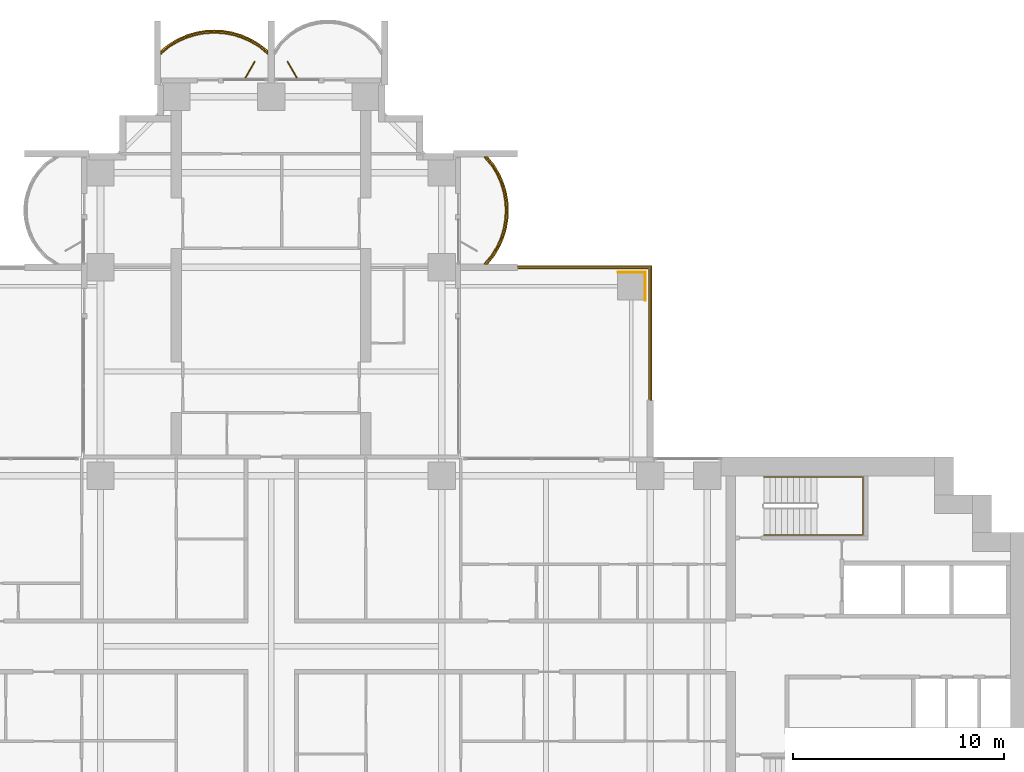
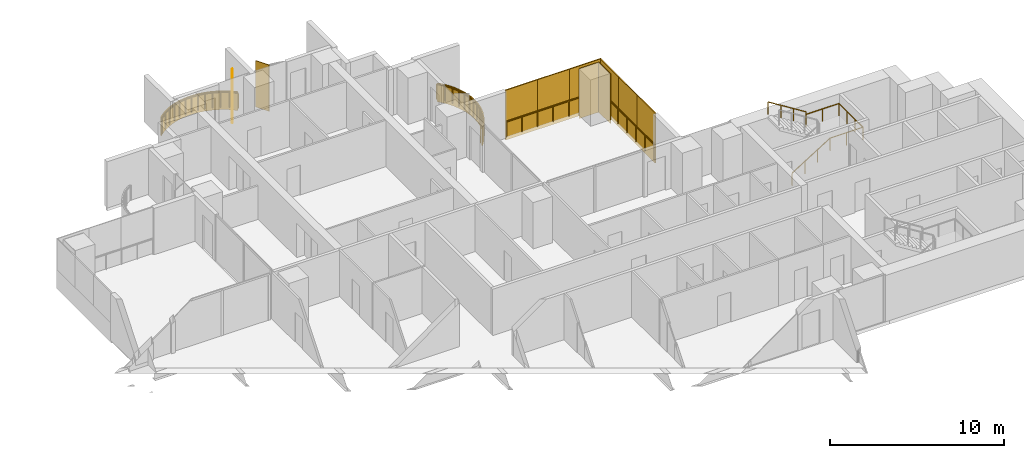
# One storey, part 20 of 21: 11 coverings, 4 railings, 2 shading devices.
"""IFC4 building model written with IfcOpenShell, lengths in metres."""

from ifc_helpers import new_model, si_unit, direction, frame, origin, origin_2d, place, context, subcontext, project, spatial, polyline, rectangle, outline, extrude, material, layer, layer_set, type_object, element, save


model = new_model("IFC4")

# Units and contexts
model_context = context("Model", 3, precision=1e-05, world=origin(), true_north=direction((0.0, 1.0)))
body_context = subcontext(model_context, "Body", "Model", "MODEL_VIEW")
ifc_project = project(units=[si_unit("LENGTHUNIT", "METRE"), si_unit("AREAUNIT", "SQUARE_METRE"), si_unit("VOLUMEUNIT", "CUBIC_METRE"), si_unit("PLANEANGLEUNIT", "RADIAN"), si_unit("MASSUNIT", "GRAM", prefix="KILO")], contexts=[model_context])

# Site, building, storey
site_placement = place(None, origin())
site = spatial("IfcSite", under=ifc_project, at=site_placement, CompositionType="ELEMENT")
building_placement = place(site_placement, origin())
building = spatial("IfcBuilding", under=site, at=building_placement, Name="Perihelion Cross Residences", CompositionType="ELEMENT")
storey_placement = place(building_placement, frame((0.0, 0.0, 54.0)))
storey = spatial("IfcBuildingStorey", under=building, at=storey_placement, Name="L10", CompositionType="ELEMENT", Elevation=54.0)

# Coverings
ifc_material_1 = material(Name="Bronze anodised aluminium", Category="aluminium")
ifc_layer_1 = layer(ifc_material_1, 0.070068359375)
ifc_layer_set_1 = layer_set([ifc_layer_1], Name="Balcony fascia 1300")
covering_type_1 = type_object("IfcCoveringType", Name="Balcony fascia 1300", PredefinedType="CLADDING", material=ifc_layer_set_1)
covering_1_placement = place(storey_placement, frame((0.0, 0.0, -0.199951171875)))
element("IfcCovering", 1, at=covering_1_placement, inside=storey, type_object=covering_type_1, Name="Fascia BF1 L10 north side east bay 2", PredefinedType="CLADDING", context=body_context, shape_type="SweptSolid", body=[
    extrude(outline(polyline([(10.59765625, 18.53515625), (10.85498046875, 18.96826171875), (11.04248046875, 19.401123046875), (11.170654296875, 19.833984375), (11.245361328125, 20.26708984375), (11.27001953125, 20.699951171875), (11.245361328125, 21.133056640625), (11.170654296875, 21.56591796875), (11.04248046875, 21.998779296875), (10.85498046875, 22.431884765625), (10.59765625, 22.86474609375), (10.28955078125, 23.25), (10.199951171875, 23.25), (10.5400390625, 22.824951171875), (10.792724609375, 22.39990234375), (10.9765625, 21.97509765625), (11.1025390625, 21.550048828125), (11.17578125, 21.125), (11.199951171875, 20.699951171875), (11.17578125, 20.27490234375), (11.1025390625, 19.85009765625), (10.9765625, 19.425048828125), (10.792724609375, 19.0), (10.5400390625, 18.574951171875), (10.199951171875, 18.14990234375), (10.28955078125, 18.14990234375), (10.59765625, 18.53515625)])), origin(), (0.0, 0.0, 1.0), 1.300048828125),
])
covering_2_placement = place(storey_placement, frame((0.0, 0.0, -0.199951171875)))
element("IfcCovering", 2, at=covering_2_placement, inside=storey, type_object=covering_type_1, Name="Fascia BF1 L10 north tip north bay 2", PredefinedType="CLADDING", context=body_context, shape_type="SweptSolid", body=[
    extrude(outline(polyline([(-0.53515625, 28.59765625), (-0.96826171875, 28.85498046875), (-1.401123046875, 29.04248046875), (-1.833984375, 29.170654296875), (-2.26708984375, 29.245361328125), (-2.699951171875, 29.27001953125), (-3.133056640625, 29.245361328125), (-3.56591796875, 29.170654296875), (-3.998779296875, 29.04248046875), (-4.431884765625, 28.85498046875), (-4.86474609375, 28.59765625), (-5.25, 28.28955078125), (-5.25, 28.199951171875), (-4.824951171875, 28.5400390625), (-4.39990234375, 28.792724609375), (-3.97509765625, 28.9765625), (-3.550048828125, 29.1025390625), (-3.125, 29.17578125), (-2.699951171875, 29.199951171875), (-2.27490234375, 29.17578125), (-1.85009765625, 29.1025390625), (-1.425048828125, 28.9765625), (-1.0, 28.792724609375), (-0.574951171875, 28.5400390625), (-0.14990234375, 28.199951171875), (-0.14990234375, 28.28955078125), (-0.53515625, 28.59765625)])), origin(), (0.0, 0.0, 1.0), 1.300048828125),
])

# Railings
ifc_material_2 = material(Name="Bronze anodised aluminium", Category="aluminium")
railing_type_1 = type_object("IfcRailingType", Name="Balcony guard 1100", PredefinedType="GUARDRAIL", material=ifc_material_2)
railing_1_placement = place(storey_placement, frame((10.139892578125, 18.175048828125, 0.0)))
element("IfcRailing", 3, at=railing_1_placement, inside=storey, type_object=railing_type_1, Name="Guard GU1 L10 north side east bay 2 balcony", PredefinedType="GUARDRAIL", context=body_context, shape_type="SweptSolid", body=[
    extrude(rectangle(XDim=0.048095703125, YDim=0.048095703125, at=origin_2d()), frame((0.0, 0.0, 1.076171875), z_axis=(0.647837396648, 0.761778647315, 0.0), x_axis=(-0.761778647315, 0.647837396648, 0.0)), (0.0, 0.0, 1.0), 0.52490234375),
    extrude(rectangle(XDim=0.048095703125, YDim=0.048095703125, at=origin_2d()), frame((0.340087890625, 0.39990234375, 1.076171875), z_axis=(0.511006381501, 0.859576918062, 0.0), x_axis=(-0.859576918062, 0.511006381501, 0.0)), (0.0, 0.0, 1.0), 0.494384765625),
    extrude(rectangle(XDim=0.048095703125, YDim=0.048095703125, at=origin_2d()), frame((0.5927734375, 0.824951171875, 1.076171875), z_axis=(0.397415137459, 0.917638931453, 0.0), x_axis=(-0.917638931453, 0.397415137459, 0.0)), (0.0, 0.0, 1.0), 0.463134765625),
    extrude(rectangle(XDim=0.048095703125, YDim=0.048095703125, at=origin_2d()), frame((0.77685546875, 1.25, 1.076171875), z_axis=(0.283656975924, 0.958925815697, 0.0), x_axis=(-0.958925815697, 0.283656975924, 0.0)), (0.0, 0.0, 1.0), 0.443359375),
    extrude(rectangle(XDim=0.048095703125, YDim=0.048095703125, at=origin_2d()), frame((0.902587890625, 1.675048828125, 1.076171875), z_axis=(0.170456843651, 0.985365142702, 0.0), x_axis=(-0.985365142702, 0.170456843651, 0.0)), (0.0, 0.0, 1.0), 0.43115234375),
    extrude(rectangle(XDim=0.048095703125, YDim=0.048095703125, at=origin_2d()), frame((0.97607421875, 2.099853515625, 1.076171875), z_axis=(0.056200523353, 0.9984195016, 0.0), x_axis=(-0.9984195016, 0.056200523353, 0.0)), (0.0, 0.0, 1.0), 0.42578125),
    extrude(rectangle(XDim=0.048095703125, YDim=0.048095703125, at=origin_2d()), frame((1.0, 2.52490234375, 1.076171875), z_axis=(-0.056200523353, 0.9984195016, 0.0), x_axis=(-0.9984195016, -0.056200523353, 0.0)), (0.0, 0.0, 1.0), 0.42578125),
    extrude(rectangle(XDim=0.048095703125, YDim=0.048095703125, at=origin_2d()), frame((0.97607421875, 2.949951171875, 1.076171875), z_axis=(-0.17036177859, 0.985381583142, 0.0), x_axis=(-0.985381583142, -0.17036177859, 0.0)), (0.0, 0.0, 1.0), 0.431396484375),
    extrude(rectangle(XDim=0.048095703125, YDim=0.048095703125, at=origin_2d()), frame((0.902587890625, 3.375, 1.076171875), z_axis=(-0.283656975924, 0.958925815697, 0.0), x_axis=(-0.958925815697, -0.283656975924, 0.0)), (0.0, 0.0, 1.0), 0.443359375),
    extrude(rectangle(XDim=0.048095703125, YDim=0.048095703125, at=origin_2d()), frame((0.77685546875, 3.800048828125, 1.076171875), z_axis=(-0.397607437634, 0.91755562531, 0.0), x_axis=(-0.91755562531, -0.397607437634, 0.0)), (0.0, 0.0, 1.0), 0.462890625),
    extrude(rectangle(XDim=0.048095703125, YDim=0.048095703125, at=origin_2d()), frame((0.5927734375, 4.224853515625, 1.076171875), z_axis=(-0.511006381501, 0.859576918062, 0.0), x_axis=(-0.859576918062, -0.511006381501, 0.0)), (0.0, 0.0, 1.0), 0.494384765625),
    extrude(rectangle(XDim=0.048095703125, YDim=0.048095703125, at=origin_2d()), frame((0.340087890625, 4.64990234375, 1.076171875), z_axis=(-0.647607934281, 0.761973728849, 0.0), x_axis=(-0.761973728849, -0.647607934281, 0.0)), (0.0, 0.0, 1.0), 0.525146484375),
    extrude(rectangle(XDim=0.0419921875, YDim=0.0419921875, at=origin_2d()), origin(), (0.0, 0.0, 1.0), 1.052001953125),
    extrude(rectangle(XDim=0.0419921875, YDim=0.0419921875, at=origin_2d()), frame((0.340087890625, 0.39990234375, 0.0)), (0.0, 0.0, 1.0), 1.052001953125),
    extrude(rectangle(XDim=0.0419921875, YDim=0.0419921875, at=origin_2d()), frame((0.5927734375, 0.824951171875, 0.0)), (0.0, 0.0, 1.0), 1.052001953125),
    extrude(rectangle(XDim=0.0419921875, YDim=0.0419921875, at=origin_2d()), frame((0.77685546875, 1.25, 0.0)), (0.0, 0.0, 1.0), 1.052001953125),
    extrude(rectangle(XDim=0.0419921875, YDim=0.0419921875, at=origin_2d()), frame((0.902587890625, 1.675048828125, 0.0)), (0.0, 0.0, 1.0), 1.052001953125),
    extrude(rectangle(XDim=0.0419921875, YDim=0.0419921875, at=origin_2d()), frame((0.97607421875, 2.099853515625, 0.0)), (0.0, 0.0, 1.0), 1.052001953125),
    extrude(rectangle(XDim=0.0419921875, YDim=0.0419921875, at=origin_2d()), frame((1.0, 2.52490234375, 0.0)), (0.0, 0.0, 1.0), 1.052001953125),
    extrude(rectangle(XDim=0.0419921875, YDim=0.0419921875, at=origin_2d()), frame((0.97607421875, 2.949951171875, 0.0)), (0.0, 0.0, 1.0), 1.052001953125),
    extrude(rectangle(XDim=0.0419921875, YDim=0.0419921875, at=origin_2d()), frame((0.902587890625, 3.375, 0.0)), (0.0, 0.0, 1.0), 1.052001953125),
    extrude(rectangle(XDim=0.0419921875, YDim=0.0419921875, at=origin_2d()), frame((0.77685546875, 3.800048828125, 0.0)), (0.0, 0.0, 1.0), 1.052001953125),
    extrude(rectangle(XDim=0.0419921875, YDim=0.0419921875, at=origin_2d()), frame((0.5927734375, 4.224853515625, 0.0)), (0.0, 0.0, 1.0), 1.052001953125),
    extrude(rectangle(XDim=0.0419921875, YDim=0.0419921875, at=origin_2d()), frame((0.340087890625, 4.64990234375, 0.0)), (0.0, 0.0, 1.0), 1.052001953125),
    extrude(rectangle(XDim=0.0419921875, YDim=0.0419921875, at=origin_2d()), frame((0.0, 5.050048828125, 0.0)), (0.0, 0.0, 1.0), 1.052001953125),
])
railing_2_placement = place(storey_placement, frame((-0.175048828125, 28.139892578125, 0.0)))
element("IfcRailing", 4, at=railing_2_placement, inside=storey, type_object=railing_type_1, Name="Guard GU1 L10 north tip north bay 2 balcony", PredefinedType="GUARDRAIL", context=body_context, shape_type="SweptSolid", body=[
    extrude(rectangle(XDim=0.048095703125, YDim=0.048095703125, at=origin_2d()), frame((0.0, 0.0, 1.076171875), z_axis=(-0.761778647315, 0.647837396648, 0.0), x_axis=(-0.647837396648, -0.761778647315, 0.0)), (0.0, 0.0, 1.0), 0.52490234375),
    extrude(rectangle(XDim=0.048095703125, YDim=0.048095703125, at=origin_2d()), frame((-0.39990234375, 0.340087890625, 1.076171875), z_axis=(-0.859576918062, 0.511006381501, 0.0), x_axis=(-0.511006381501, -0.859576918062, 0.0)), (0.0, 0.0, 1.0), 0.494384765625),
    extrude(rectangle(XDim=0.048095703125, YDim=0.048095703125, at=origin_2d()), frame((-0.824951171875, 0.5927734375, 1.076171875), z_axis=(-0.917638931453, 0.397415137459, 0.0), x_axis=(-0.397415137459, -0.917638931453, 0.0)), (0.0, 0.0, 1.0), 0.463134765625),
    extrude(rectangle(XDim=0.048095703125, YDim=0.048095703125, at=origin_2d()), frame((-1.25, 0.77685546875, 1.076171875), z_axis=(-0.958925815697, 0.283656975924, 0.0), x_axis=(-0.283656975924, -0.958925815697, 0.0)), (0.0, 0.0, 1.0), 0.443359375),
    extrude(rectangle(XDim=0.048095703125, YDim=0.048095703125, at=origin_2d()), frame((-1.675048828125, 0.902587890625, 1.076171875), z_axis=(-0.985365142702, 0.170456843651, 0.0), x_axis=(-0.170456843651, -0.985365142702, 0.0)), (0.0, 0.0, 1.0), 0.43115234375),
    extrude(rectangle(XDim=0.048095703125, YDim=0.048095703125, at=origin_2d()), frame((-2.099853515625, 0.97607421875, 1.076171875), z_axis=(-0.9984195016, 0.056200523353, 0.0), x_axis=(-0.056200523353, -0.9984195016, 0.0)), (0.0, 0.0, 1.0), 0.42578125),
    extrude(rectangle(XDim=0.048095703125, YDim=0.048095703125, at=origin_2d()), frame((-2.52490234375, 1.0, 1.076171875), z_axis=(-0.9984195016, -0.056200523353, 0.0), x_axis=(0.056200523353, -0.9984195016, 0.0)), (0.0, 0.0, 1.0), 0.42578125),
    extrude(rectangle(XDim=0.048095703125, YDim=0.048095703125, at=origin_2d()), frame((-2.949951171875, 0.97607421875, 1.076171875), z_axis=(-0.985381583142, -0.17036177859, 0.0), x_axis=(0.17036177859, -0.985381583142, 0.0)), (0.0, 0.0, 1.0), 0.431396484375),
    extrude(rectangle(XDim=0.048095703125, YDim=0.048095703125, at=origin_2d()), frame((-3.375, 0.902587890625, 1.076171875), z_axis=(-0.958925815697, -0.283656975924, 0.0), x_axis=(0.283656975924, -0.958925815697, 0.0)), (0.0, 0.0, 1.0), 0.443359375),
    extrude(rectangle(XDim=0.048095703125, YDim=0.048095703125, at=origin_2d()), frame((-3.800048828125, 0.77685546875, 1.076171875), z_axis=(-0.91755562531, -0.397607437634, 0.0), x_axis=(0.397607437634, -0.91755562531, 0.0)), (0.0, 0.0, 1.0), 0.462890625),
    extrude(rectangle(XDim=0.048095703125, YDim=0.048095703125, at=origin_2d()), frame((-4.224853515625, 0.5927734375, 1.076171875), z_axis=(-0.859576918062, -0.511006381501, 0.0), x_axis=(0.511006381501, -0.859576918062, 0.0)), (0.0, 0.0, 1.0), 0.494384765625),
    extrude(rectangle(XDim=0.048095703125, YDim=0.048095703125, at=origin_2d()), frame((-4.64990234375, 0.340087890625, 1.076171875), z_axis=(-0.761973728849, -0.647607934281, 0.0), x_axis=(0.647607934281, -0.761973728849, 0.0)), (0.0, 0.0, 1.0), 0.525146484375),
    extrude(rectangle(XDim=0.0419921875, YDim=0.0419921875, at=origin_2d()), origin(), (0.0, 0.0, 1.0), 1.052001953125),
    extrude(rectangle(XDim=0.0419921875, YDim=0.0419921875, at=origin_2d()), frame((-0.39990234375, 0.340087890625, 0.0)), (0.0, 0.0, 1.0), 1.052001953125),
    extrude(rectangle(XDim=0.0419921875, YDim=0.0419921875, at=origin_2d()), frame((-0.824951171875, 0.5927734375, 0.0)), (0.0, 0.0, 1.0), 1.052001953125),
    extrude(rectangle(XDim=0.0419921875, YDim=0.0419921875, at=origin_2d()), frame((-1.25, 0.77685546875, 0.0)), (0.0, 0.0, 1.0), 1.052001953125),
    extrude(rectangle(XDim=0.0419921875, YDim=0.0419921875, at=origin_2d()), frame((-1.675048828125, 0.902587890625, 0.0)), (0.0, 0.0, 1.0), 1.052001953125),
    extrude(rectangle(XDim=0.0419921875, YDim=0.0419921875, at=origin_2d()), frame((-2.099853515625, 0.97607421875, 0.0)), (0.0, 0.0, 1.0), 1.052001953125),
    extrude(rectangle(XDim=0.0419921875, YDim=0.0419921875, at=origin_2d()), frame((-2.52490234375, 1.0, 0.0)), (0.0, 0.0, 1.0), 1.052001953125),
    extrude(rectangle(XDim=0.0419921875, YDim=0.0419921875, at=origin_2d()), frame((-2.949951171875, 0.97607421875, 0.0)), (0.0, 0.0, 1.0), 1.052001953125),
    extrude(rectangle(XDim=0.0419921875, YDim=0.0419921875, at=origin_2d()), frame((-3.375, 0.902587890625, 0.0)), (0.0, 0.0, 1.0), 1.052001953125),
    extrude(rectangle(XDim=0.0419921875, YDim=0.0419921875, at=origin_2d()), frame((-3.800048828125, 0.77685546875, 0.0)), (0.0, 0.0, 1.0), 1.052001953125),
    extrude(rectangle(XDim=0.0419921875, YDim=0.0419921875, at=origin_2d()), frame((-4.224853515625, 0.5927734375, 0.0)), (0.0, 0.0, 1.0), 1.052001953125),
    extrude(rectangle(XDim=0.0419921875, YDim=0.0419921875, at=origin_2d()), frame((-4.64990234375, 0.340087890625, 0.0)), (0.0, 0.0, 1.0), 1.052001953125),
    extrude(rectangle(XDim=0.0419921875, YDim=0.0419921875, at=origin_2d()), frame((-5.050048828125, 0.0, 0.0)), (0.0, 0.0, 1.0), 1.052001953125),
])
railing_3_placement = place(storey_placement, frame((11.739990234375, 17.93994140625, 0.0)))
element("IfcRailing", 5, at=railing_3_placement, inside=storey, type_object=railing_type_1, Name="Guard GU1 L10 pocket north-east 1", PredefinedType="GUARDRAIL", context=body_context, shape_type="SweptSolid", body=[
    extrude(rectangle(XDim=0.048095703125, YDim=0.048095703125, at=origin_2d()), frame((0.0, 0.0, 1.076171875), z_axis=(1.0, 0.0, 0.0), x_axis=(0.0, 1.0, 0.0)), (0.0, 0.0, 1.0), 6.199951171875),
    extrude(rectangle(XDim=0.048095703125, YDim=0.048095703125, at=origin_2d()), frame((6.199951171875, 0.0, 1.076171875), z_axis=(0.0, -1.0, 0.0), x_axis=(1.0, 0.0, 0.0)), (0.0, 0.0, 1.0), 6.199951171875),
    extrude(rectangle(XDim=0.0419921875, YDim=0.0419921875, at=origin_2d()), origin(), (0.0, 0.0, 1.0), 1.052001953125),
    extrude(rectangle(XDim=0.0419921875, YDim=0.0419921875, at=origin_2d()), frame((1.033203125, 0.0, 0.0)), (0.0, 0.0, 1.0), 1.052001953125),
    extrude(rectangle(XDim=0.0419921875, YDim=0.0419921875, at=origin_2d()), frame((2.066650390625, 0.0, 0.0)), (0.0, 0.0, 1.0), 1.052001953125),
    extrude(rectangle(XDim=0.0419921875, YDim=0.0419921875, at=origin_2d()), frame((3.10009765625, 0.0, 0.0)), (0.0, 0.0, 1.0), 1.052001953125),
    extrude(rectangle(XDim=0.0419921875, YDim=0.0419921875, at=origin_2d()), frame((4.13330078125, 0.0, 0.0)), (0.0, 0.0, 1.0), 1.052001953125),
    extrude(rectangle(XDim=0.0419921875, YDim=0.0419921875, at=origin_2d()), frame((5.16650390625, 0.0, 0.0)), (0.0, 0.0, 1.0), 1.052001953125),
    extrude(rectangle(XDim=0.0419921875, YDim=0.0419921875, at=origin_2d()), frame((6.199951171875, 0.0, 0.0)), (0.0, 0.0, 1.0), 1.052001953125),
    extrude(rectangle(XDim=0.0419921875, YDim=0.0419921875, at=origin_2d()), frame((6.199951171875, -1.033203125, 0.0)), (0.0, 0.0, 1.0), 1.052001953125),
    extrude(rectangle(XDim=0.0419921875, YDim=0.0419921875, at=origin_2d()), frame((6.199951171875, -2.066650390625, 0.0)), (0.0, 0.0, 1.0), 1.052001953125),
    extrude(rectangle(XDim=0.0419921875, YDim=0.0419921875, at=origin_2d()), frame((6.199951171875, -3.10009765625, 0.0)), (0.0, 0.0, 1.0), 1.052001953125),
    extrude(rectangle(XDim=0.0419921875, YDim=0.0419921875, at=origin_2d()), frame((6.199951171875, -4.13330078125, 0.0)), (0.0, 0.0, 1.0), 1.052001953125),
    extrude(rectangle(XDim=0.0419921875, YDim=0.0419921875, at=origin_2d()), frame((6.199951171875, -5.16650390625, 0.0)), (0.0, 0.0, 1.0), 1.052001953125),
    extrude(rectangle(XDim=0.0419921875, YDim=0.0419921875, at=origin_2d()), frame((6.199951171875, -6.199951171875, 0.0)), (0.0, 0.0, 1.0), 1.052001953125),
])

# Coverings
ifc_material_3 = material(Name="Bronze anodised aluminium", Category="aluminium")
ifc_layer_2 = layer(ifc_material_3, 0.0400390625)
ifc_layer_set_2 = layer_set([ifc_layer_2], Name="Bronze column casing 40")
covering_type_2 = type_object("IfcCoveringType", Name="Bronze column casing 40", PredefinedType="CLADDING", material=ifc_layer_set_2)
covering_3_placement = place(storey_placement, frame((17.77001953125, 17.10009765625, -0.25), z_axis=(0.0, 0.0, 1.0), x_axis=(1.0, 0.0, 0.0)))
element("IfcCovering", 6, at=covering_3_placement, inside=storey, type_object=covering_type_2, Name="Cladding CC1 L10 casing east-west no. 4", PredefinedType="CLADDING", context=body_context, shape_type="SweptSolid", body=[
    extrude(rectangle(XDim=0.0400390625, YDim=1.3798828125, at=origin_2d()), origin(), (0.0, 0.0, 1.0), 3.5),
])
covering_4_placement = place(storey_placement, frame((17.10009765625, 17.77001953125, -0.25), z_axis=(0.0, 0.0, 1.0), x_axis=(1.0, 0.0, 0.0)))
element("IfcCovering", 7, at=covering_4_placement, inside=storey, type_object=covering_type_2, Name="Cladding CC1 L10 casing north-south no. 4", PredefinedType="CLADDING", context=body_context, shape_type="SweptSolid", body=[
    extrude(rectangle(XDim=1.300048828125, YDim=0.0400390625, at=origin_2d()), origin(), (0.0, 0.0, 1.0), 3.5),
])

# Shading devices
ifc_material_4 = material(Name="Bronze anodised aluminium", Category="aluminium")
ifc_layer_3 = layer(ifc_material_4, 0.050048828125)
ifc_layer_set_3 = layer_set([ifc_layer_3], Name="Bronze fin 900")
shading_device_type = type_object("IfcShadingDeviceType", Name="Bronze fin 900", PredefinedType="USERDEFINED", material=ifc_layer_set_3)
for number, where, z_axis, x_axis, name in (
    (8, (1.0, 27.3896484375, 0.0), (0.0, 0.0, 1.0), (-0.5, 0.866025403784, 0.0), "Fin FN1 L10 north tip north bay 1"),
    (9, (-1.0, 27.3896484375, 0.0), (0.0, 0.0, 1.0), (0.5, 0.866025403784, 0.0), "Fin FN1 L10 north tip north bay 2"),
):
    element("IfcShadingDevice", number, at=place(storey_placement, frame(where, z_axis=z_axis, x_axis=x_axis)), inside=storey, type_object=shading_device_type, Name=name, ObjectType="FIN", PredefinedType="USERDEFINED", context=body_context, shape_type="SweptSolid", body=[
        extrude(rectangle(XDim=0.89990234375, YDim=0.050048828125, at=origin_2d()), origin(), (0.0, 0.0, 1.0), 3.25),
    ])

# Coverings
ifc_material_5 = material(Name="Bronze anodised aluminium", Category="aluminium")
ifc_layer_4 = layer(ifc_material_5, 0.070068359375)
ifc_layer_set_4 = layer_set([ifc_layer_4], Name="Pocket fascia 1350")
covering_type_3 = type_object("IfcCoveringType", Name="Pocket fascia 1350", PredefinedType="CLADDING", material=ifc_layer_set_4)
covering_5_placement = place(storey_placement, frame((0.0, 0.0, -0.25)))
element("IfcCovering", 10, at=covering_5_placement, inside=storey, type_object=covering_type_3, Name="Fascia BF2 L10 pocket north-east 3", PredefinedType="CLADDING", context=body_context, shape_type="SweptSolid", body=[
    extrude(outline(polyline([(18.070068359375, 18.070068359375), (11.699951171875, 18.070068359375), (11.699951171875, 18.0), (18.0, 18.0), (18.0, 11.699951171875), (18.070068359375, 11.699951171875), (18.070068359375, 18.070068359375)])), origin(), (0.0, 0.0, 1.0), 1.35009765625),
])
ifc_material_6 = material(Name="Bronze perforated aluminium", Category="aluminium")
ifc_layer_5 = layer(ifc_material_6, 0.070068359375)
ifc_layer_set_5 = layer_set([ifc_layer_5], Name="Pocket solar screen, bronze perforated")
covering_type_4 = type_object("IfcCoveringType", Name="Pocket solar screen, bronze perforated", PredefinedType="CLADDING", material=ifc_layer_set_5)
covering_6_placement = place(storey_placement, frame((0.0, 0.0, 1.10009765625)))
element("IfcCovering", 11, at=covering_6_placement, inside=storey, type_object=covering_type_4, Name="Solar screen PS1 L10 pocket north-east no. 1", PredefinedType="CLADDING", context=body_context, shape_type="SweptSolid", body=[
    extrude(outline(polyline([(18.070068359375, 11.699951171875), (18.070068359375, 13.800048828125), (18.0, 13.800048828125), (18.0, 11.699951171875), (18.070068359375, 11.699951171875)])), origin(), (0.0, 0.0, 1.0), 2.14990234375),
])
covering_7_placement = place(storey_placement, frame((0.0, 0.0, 1.10009765625)))
element("IfcCovering", 12, at=covering_7_placement, inside=storey, type_object=covering_type_4, Name="Solar screen PS1 L10 pocket north-east no. 2", PredefinedType="CLADDING", context=body_context, shape_type="SweptSolid", body=[
    extrude(outline(polyline([(18.070068359375, 13.800048828125), (18.070068359375, 15.89990234375), (18.0, 15.89990234375), (18.0, 13.800048828125), (18.070068359375, 13.800048828125)])), origin(), (0.0, 0.0, 1.0), 2.14990234375),
])
covering_8_placement = place(storey_placement, frame((0.0, 0.0, 1.10009765625)))
element("IfcCovering", 13, at=covering_8_placement, inside=storey, type_object=covering_type_4, Name="Solar screen PS1 L10 pocket north-east no. 3", PredefinedType="CLADDING", context=body_context, shape_type="SweptSolid", body=[
    extrude(outline(polyline([(18.070068359375, 15.89990234375), (18.070068359375, 18.0), (18.0, 18.0), (18.0, 15.89990234375), (18.070068359375, 15.89990234375)])), origin(), (0.0, 0.0, 1.0), 2.14990234375),
])
covering_9_placement = place(storey_placement, frame((0.0, 0.0, 1.10009765625)))
element("IfcCovering", 14, at=covering_9_placement, inside=storey, type_object=covering_type_4, Name="Solar screen PS1 L10 pocket north-east no. 4", PredefinedType="CLADDING", context=body_context, shape_type="SweptSolid", body=[
    extrude(outline(polyline([(13.8232421875, 18.0), (13.8232421875, 18.070068359375), (11.699951171875, 18.070068359375), (11.699951171875, 18.0), (13.8232421875, 18.0)])), origin(), (0.0, 0.0, 1.0), 2.14990234375),
])
covering_10_placement = place(storey_placement, frame((0.0, 0.0, 1.10009765625)))
element("IfcCovering", 15, at=covering_10_placement, inside=storey, type_object=covering_type_4, Name="Solar screen PS1 L10 pocket north-east no. 5", PredefinedType="CLADDING", context=body_context, shape_type="SweptSolid", body=[
    extrude(outline(polyline([(15.94677734375, 18.0), (15.94677734375, 18.070068359375), (13.8232421875, 18.070068359375), (13.8232421875, 18.0), (15.94677734375, 18.0)])), origin(), (0.0, 0.0, 1.0), 2.14990234375),
])
covering_11_placement = place(storey_placement, frame((0.0, 0.0, 1.10009765625)))
element("IfcCovering", 16, at=covering_11_placement, inside=storey, type_object=covering_type_4, Name="Solar screen PS1 L10 pocket north-east no. 6", PredefinedType="CLADDING", context=body_context, shape_type="SweptSolid", body=[
    extrude(outline(polyline([(18.070068359375, 18.0), (18.070068359375, 18.070068359375), (15.94677734375, 18.070068359375), (15.94677734375, 18.0), (18.070068359375, 18.0)])), origin(), (0.0, 0.0, 1.0), 2.14990234375),
])

# Railing
ifc_material_7 = material(Name="Stainless steel", Category="steel")
railing_type_2 = type_object("IfcRailingType", Name="Stair handrail 900", PredefinedType="HANDRAIL", material=ifc_material_7)
railing_4_placement = place(storey_placement, frame((23.39990234375, 5.300048828125, 0.175048828125)))
element("IfcRailing", 17, at=railing_4_placement, inside=storey, type_object=railing_type_2, Name="L10 ST-E1 stair handrail 1", PredefinedType="HANDRAIL", context=body_context, shape_type="SweptSolid", body=[
    extrude(rectangle(XDim=0.048095703125, YDim=0.048095703125, at=origin_2d()), frame((0.0, 0.0, 0.8759765625), z_axis=(0.848007534815, 0.0, 0.529984170421), x_axis=(0.0, 1.0, 0.0)), (0.0, 0.0, 1.0), 2.9716796875),
    extrude(rectangle(XDim=0.048095703125, YDim=0.048095703125, at=origin_2d()), frame((2.52001953125, 0.0, 2.45068359375), z_axis=(1.0, 0.0, 0.0), x_axis=(0.0, 1.0, 0.0)), (0.0, 0.0, 1.0), 2.18017578125),
    extrude(rectangle(XDim=0.048095703125, YDim=0.048095703125, at=origin_2d()), frame((4.7001953125, 0.0, 2.45068359375), z_axis=(0.0, 1.0, 0.0), x_axis=(-1.0, 0.0, 0.0)), (0.0, 0.0, 1.0), 2.75),
    extrude(rectangle(XDim=0.048095703125, YDim=0.048095703125, at=origin_2d()), frame((4.7001953125, 2.75, 2.45068359375), z_axis=(-1.0, 0.0, 0.0), x_axis=(0.0, -1.0, 0.0)), (0.0, 0.0, 1.0), 2.18017578125),
    extrude(rectangle(XDim=0.048095703125, YDim=0.048095703125, at=origin_2d()), frame((2.52001953125, 2.75, 2.45068359375), z_axis=(0.0, 0.0, 1.0), x_axis=(1.0, 0.0, 0.0)), (0.0, 0.0, 1.0), 0.175048828125),
    extrude(rectangle(XDim=0.048095703125, YDim=0.048095703125, at=origin_2d()), frame((2.52001953125, 2.75, 2.6259765625), z_axis=(-0.848007534815, 0.0, 0.529984170421), x_axis=(0.0, -1.0, 0.0)), (0.0, 0.0, 1.0), 2.9716796875),
    extrude(rectangle(XDim=0.0419921875, YDim=0.0419921875, at=origin_2d()), origin(), (0.0, 0.0, 1.0), 0.851806640625),
    extrude(rectangle(XDim=0.0419921875, YDim=0.0419921875, at=origin_2d()), frame((0.840087890625, 0.0, 0.52490234375)), (0.0, 0.0, 1.0), 0.851806640625),
    extrude(rectangle(XDim=0.0419921875, YDim=0.0419921875, at=origin_2d()), frame((1.679931640625, 0.0, 1.050048828125)), (0.0, 0.0, 1.0), 0.851806640625),
    extrude(rectangle(XDim=0.0419921875, YDim=0.0419921875, at=origin_2d()), frame((2.52001953125, 0.0, 1.574951171875)), (0.0, 0.0, 1.0), 0.851806640625),
    extrude(rectangle(XDim=0.0419921875, YDim=0.0419921875, at=origin_2d()), frame((3.610107421875, 0.0, 1.574951171875)), (0.0, 0.0, 1.0), 0.851806640625),
    extrude(rectangle(XDim=0.0419921875, YDim=0.0419921875, at=origin_2d()), frame((4.7001953125, 0.0, 1.574951171875)), (0.0, 0.0, 1.0), 0.851806640625),
    extrude(rectangle(XDim=0.0419921875, YDim=0.0419921875, at=origin_2d()), frame((4.7001953125, 0.916748046875, 1.574951171875)), (0.0, 0.0, 1.0), 0.851806640625),
    extrude(rectangle(XDim=0.0419921875, YDim=0.0419921875, at=origin_2d()), frame((4.7001953125, 1.833251953125, 1.574951171875)), (0.0, 0.0, 1.0), 0.851806640625),
    extrude(rectangle(XDim=0.0419921875, YDim=0.0419921875, at=origin_2d()), frame((4.7001953125, 2.75, 1.574951171875)), (0.0, 0.0, 1.0), 0.851806640625),
    extrude(rectangle(XDim=0.0419921875, YDim=0.0419921875, at=origin_2d()), frame((3.610107421875, 2.75, 1.574951171875)), (0.0, 0.0, 1.0), 0.851806640625),
    extrude(rectangle(XDim=0.0419921875, YDim=0.0419921875, at=origin_2d()), frame((2.52001953125, 2.75, 1.574951171875)), (0.0, 0.0, 1.0), 0.851806640625),
    extrude(rectangle(XDim=0.0419921875, YDim=0.0419921875, at=origin_2d()), frame((2.52001953125, 2.75, 1.75)), (0.0, 0.0, 1.0), 0.851806640625),
    extrude(rectangle(XDim=0.0419921875, YDim=0.0419921875, at=origin_2d()), frame((1.679931640625, 2.75, 2.27490234375)), (0.0, 0.0, 1.0), 0.851806640625),
    extrude(rectangle(XDim=0.0419921875, YDim=0.0419921875, at=origin_2d()), frame((0.840087890625, 2.75, 2.800048828125)), (0.0, 0.0, 1.0), 0.851806640625),
    extrude(rectangle(XDim=0.0419921875, YDim=0.0419921875, at=origin_2d()), frame((0.0, 2.75, 3.324951171875)), (0.0, 0.0, 1.0), 0.851806640625),
])

save(model, "model.ifc")
